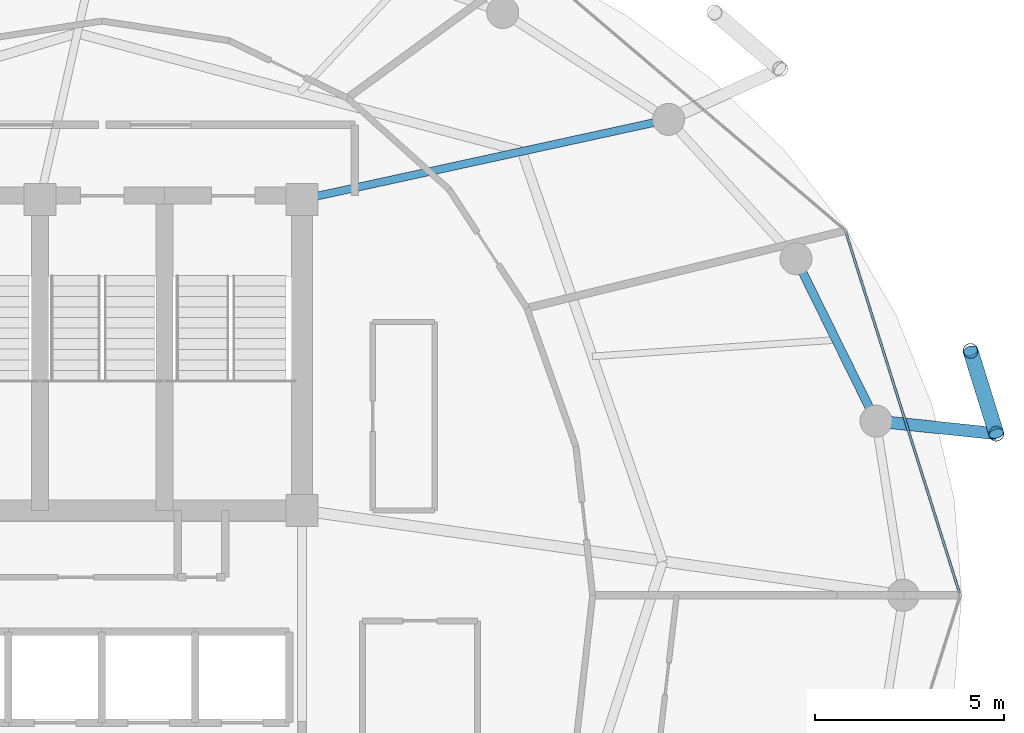
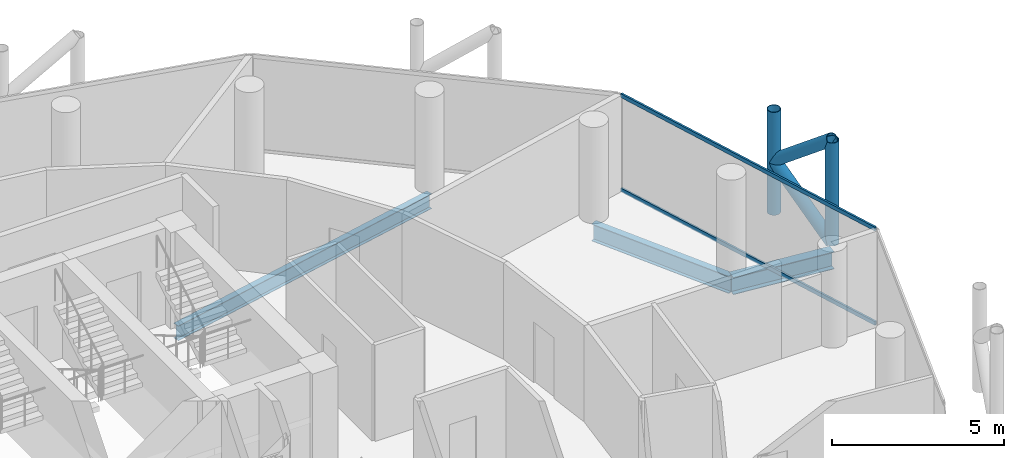
# One storey, part 16 of 27: 6 members, 3 beams, 1 element without a shape of its own.
"""IFC4 building model written with IfcOpenShell, lengths in metres."""

from ifc_helpers import new_model, si_unit, direction, frame, origin, origin_2d, place, context, subcontext, project, spatial, hollow_rectangle, hollow_circle, i_section, extrude, material, layer, layer_set, material_profile, profile_set, type_object, element, aggregate, save


model = new_model("IFC4")

# Units and contexts
model_context = context("Model", 3, precision=1e-05, world=origin(), true_north=direction((0.0, 1.0)))
body_context = subcontext(model_context, "Body", "Model", "MODEL_VIEW")
ifc_project = project(units=[si_unit("LENGTHUNIT", "METRE"), si_unit("AREAUNIT", "SQUARE_METRE"), si_unit("VOLUMEUNIT", "CUBIC_METRE"), si_unit("PLANEANGLEUNIT", "RADIAN"), si_unit("MASSUNIT", "GRAM", prefix="KILO")], contexts=[model_context])

# Site, building, storey
site_placement = place(None, origin())
site = spatial("IfcSite", under=ifc_project, at=site_placement, CompositionType="ELEMENT")
building_placement = place(site_placement, origin())
building = spatial("IfcBuilding", under=site, at=building_placement, Name="Nuhasar Tower", CompositionType="ELEMENT")
storey_placement = place(building_placement, frame((0.0, 0.0, 226.39990234375)))
storey = spatial("IfcBuildingStorey", under=building, at=storey_placement, Name="L55", CompositionType="ELEMENT", Elevation=226.39990234375)

# Beams
ifc_material_1 = material(Name="Steel S355", Category="steel")
ifc_material_profile_1 = material_profile(ifc_material_1, i_section(OverallWidth=0.208984375, OverallDepth=0.528076171875, WebThickness=0.009521484375, FlangeThickness=0.01318359375, at=origin_2d()), Name="W21X55")
ifc_profile_set_1 = profile_set([ifc_material_profile_1], Name="Steel S355")
beam_type_1 = type_object("IfcBeamType", Name="BM-RAD-W21X55", PredefinedType="BEAM", material=ifc_profile_set_1)
beam_1_placement = place(storey_placement, frame((44.300048828125, 37.300048828125, -0.50390625), z_axis=(0.977014275474, 0.213173885644, 0.0), x_axis=(-0.213173885644, 0.977014275474, 0.0)))
element("IfcBeam", 1, at=beam_1_placement, inside=storey, type_object=beam_type_1, Name="L55 Radial Floor Girder 05", PredefinedType="BEAM", context=body_context, shape_type="SweptSolid", body=[
    extrude(i_section(OverallWidth=0.208984375, OverallDepth=0.528076171875, WebThickness=0.009521484375, FlangeThickness=0.01318359375, at=origin_2d()), origin(), (0.0, 0.0, 1.0), 9.95458984375),
])
ifc_material_profile_2 = material_profile(ifc_material_1, i_section(OverallWidth=0.22802734375, OverallDepth=0.60791015625, WebThickness=0.01123046875, FlangeThickness=0.017333984375, at=origin_2d()), Name="W24X76")
ifc_profile_set_2 = profile_set([ifc_material_profile_2], Name="Steel S355")
beam_type_2 = type_object("IfcBeamType", Name="BM-RING-W24X76", PredefinedType="SPANDREL", material=ifc_profile_set_2)
beam_2_placement = place(storey_placement, frame((59.52587890625, 31.419921875, -0.5439453125), z_axis=(-0.442242604409, 0.896895467067, 0.0), x_axis=(-0.896895467067, -0.442242604409, 0.0)))
element("IfcBeam", 2, at=beam_2_placement, inside=storey, type_object=beam_type_2, Name="L55 Perimeter Ring Spandrel 02", PredefinedType="SPANDREL", context=body_context, shape_type="SweptSolid", body=[
    extrude(i_section(OverallWidth=0.22802734375, OverallDepth=0.60791015625, WebThickness=0.01123046875, FlangeThickness=0.017333984375, at=origin_2d()), origin(), (0.0, 0.0, 1.0), 4.800048828125),
])
ifc_material_profile_3 = material_profile(ifc_material_1, i_section(OverallWidth=0.323974609375, OverallDepth=0.611083984375, WebThickness=0.0126953125, FlangeThickness=0.01904296875, at=origin_2d()), Name="W24X104")
ifc_profile_set_3 = profile_set([ifc_material_profile_3], Name="Steel S355")
beam_type_3 = type_object("IfcBeamType", Name="BM-TIE-W24X104", PredefinedType="BEAM", material=ifc_profile_set_3)
beam_3_placement = place(storey_placement, frame((59.52587890625, 31.419921875, -0.544921875), z_axis=(0.994571111079, -0.10405914187, 0.0), x_axis=(0.10405914187, 0.994571111079, 0.0)))
element("IfcBeam", 3, at=beam_3_placement, inside=storey, type_object=beam_type_3, Name="L55 Exoskeleton Node Tie Beam 01", PredefinedType="BEAM", context=body_context, shape_type="SweptSolid", body=[
    extrude(i_section(OverallWidth=0.323974609375, OverallDepth=0.611083984375, WebThickness=0.0126953125, FlangeThickness=0.01904296875, at=origin_2d()), origin(), (0.0, 0.0, 1.0), 3.20947265625),
])

# Curtain wall, members
ifc_material_2 = material(Name="Aluminium 6063-T6", Category="aluminium")
ifc_layer = layer(ifc_material_2, 0.18994140625)
ifc_layer_set = layer_set([ifc_layer], Name="Aluminium 6063-T6")
curtain_wall_type = type_object("IfcCurtainWallType", Name="CW-Z3-RES", PredefinedType="NOTDEFINED", material=ifc_layer_set)
curtain_wall_placement = place(storey_placement, origin())
curtain_wall = element("IfcCurtainWall", 4, at=curtain_wall_placement, inside=storey, type_object=curtain_wall_type, Name="L55 Unitised Curtain Wall 01", PredefinedType="NOTDEFINED")
ifc_material_profile_4 = material_profile(ifc_material_2, hollow_rectangle(XDim=0.06494140625, YDim=0.139892578125, WallThickness=0.00439453125, at=origin_2d()), Name="CWT-4")
ifc_profile_set_4 = profile_set([ifc_material_profile_4], Name="Aluminium 6063-T6")
member_type_1 = type_object("IfcMemberType", Name="CW-TRN-S4", PredefinedType="USERDEFINED", material=ifc_profile_set_4)
member_1_placement = place(storey_placement, frame((61.740478515625, 26.862060546875, 0.03271484375), z_axis=(-0.300437373386, 0.953801543652, 0.0), x_axis=(-0.953801543652, -0.300437373386, 0.0)))
member_1 = element("IfcMember", 5, at=member_1_placement, type_object=member_type_1, Name="CW-Z3 transom 1.1", ObjectType="TRANSOM", PredefinedType="USERDEFINED", context=body_context, shape_type="SweptSolid", body=[
    extrude(hollow_rectangle(XDim=0.06494140625, YDim=0.139892578125, WallThickness=0.00439453125, at=origin_2d()), origin(), (0.0, 0.0, 1.0), 10.018798828125),
])
member_2_placement = place(storey_placement, frame((61.740478515625, 26.862060546875, 3.377685546875), z_axis=(-0.300437373386, 0.953801543652, 0.0), x_axis=(-0.953801543652, -0.300437373386, 0.0)))
member_2 = element("IfcMember", 6, at=member_2_placement, type_object=member_type_1, Name="CW-Z3 transom 1.2", ObjectType="TRANSOM", PredefinedType="USERDEFINED", context=body_context, shape_type="SweptSolid", body=[
    extrude(hollow_rectangle(XDim=0.06494140625, YDim=0.139892578125, WallThickness=0.00439453125, at=origin_2d()), origin(), (0.0, 0.0, 1.0), 10.018798828125),
])
aggregate(curtain_wall, [member_1, member_2])

# Members
ifc_material_3 = material(Name="Steel S460", Category="steel")
ifc_material_profile_5 = material_profile(ifc_material_3, hollow_circle(Radius=0.203125, WallThickness=0.01904296875, at=origin_2d()), Name="HSS406.4X19.1")
ifc_profile_set_5 = profile_set([ifc_material_profile_5], Name="Steel S460")
member_type_2 = type_object("IfcMemberType", Name="EXO-BRONZE-406", PredefinedType="BRACE", material=ifc_profile_set_5)
for number, where, z_axis, x_axis, name in (
    (7, (62.718017578125, 31.0859375, 0.0), (0.0, 0.0, 1.0), (1.0, 0.0, 0.0), "L55 Exoskeleton Chord Column EC-01A"),
    (8, (62.032958984375, 33.281005859375, 0.0), (0.0, 0.0, 1.0), (1.0, 0.0, 0.0), "L55 Exoskeleton Chord Column EC-01B"),
):
    element("IfcMember", number, at=place(storey_placement, frame(where, z_axis=z_axis, x_axis=x_axis)), inside=storey, type_object=member_type_2, Name=name, PredefinedType="BRACE", context=body_context, shape_type="SweptSolid", body=[
        extrude(hollow_circle(Radius=0.203125, WallThickness=0.01904296875, at=origin_2d()), origin(), (0.0, 0.0, 1.0), 3.650146484375),
    ])
member_3_placement = place(storey_placement, frame((62.718017578125, 31.0859375, 0.0), z_axis=(-0.233345847503, 0.747687995332, 0.621701195985), x_axis=(-0.954591372974, -0.297918295247, 0.0)))
element("IfcMember", 9, at=member_3_placement, inside=storey, type_object=member_type_2, Name="L55 Bronze Diagrid Brace W1-01", PredefinedType="BRACE", context=body_context, shape_type="SweptSolid", body=[
    extrude(hollow_circle(Radius=0.203125, WallThickness=0.01904296875, at=origin_2d()), origin(), (0.0, 0.0, 1.0), 2.935791015625),
])
member_4_placement = place(storey_placement, frame((62.032958984375, 33.281005859375, 1.8251953125), z_axis=(0.233357911711, -0.747726651531, 0.621650174641), x_axis=(0.954591372974, 0.297918295247, 0.0)))
element("IfcMember", 10, at=member_4_placement, inside=storey, type_object=member_type_2, Name="L55 Bronze Diagrid Brace W2-01", PredefinedType="BRACE", context=body_context, shape_type="SweptSolid", body=[
    extrude(hollow_circle(Radius=0.203125, WallThickness=0.01904296875, at=origin_2d()), origin(), (0.0, 0.0, 1.0), 2.935546875),
])

save(model, "model.ifc")
